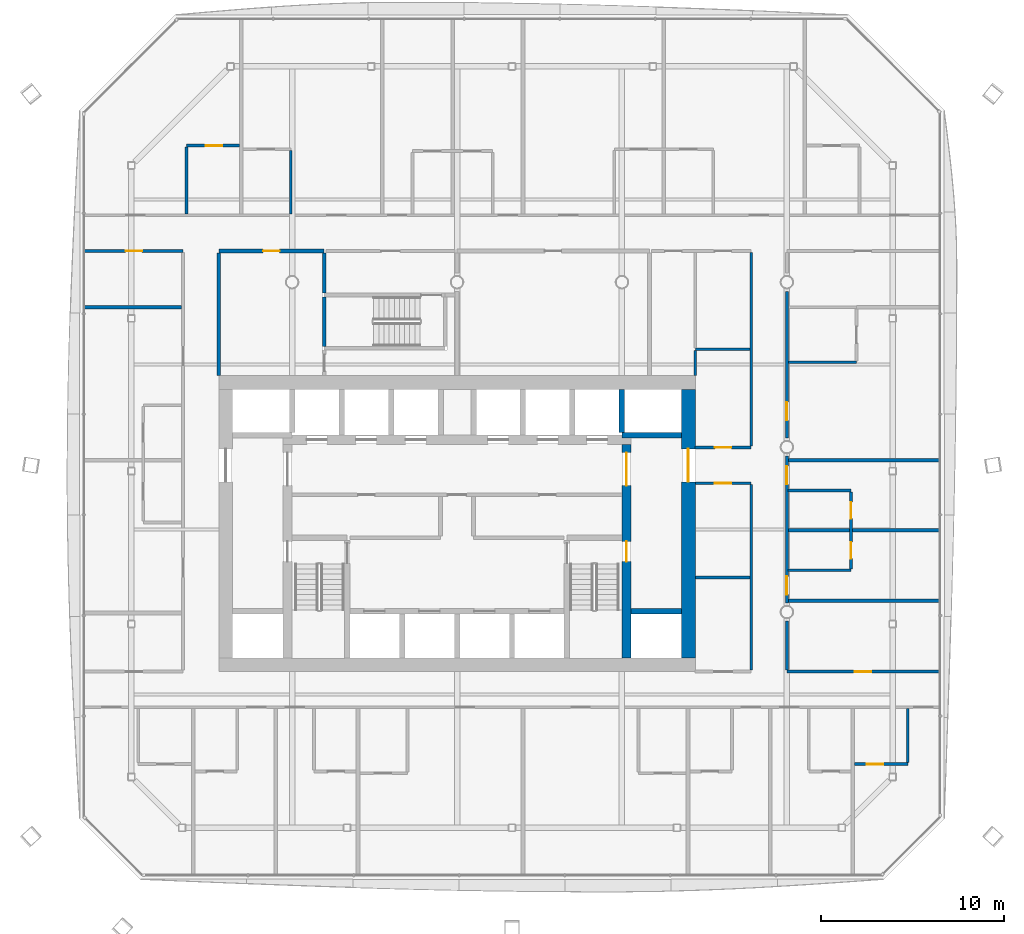
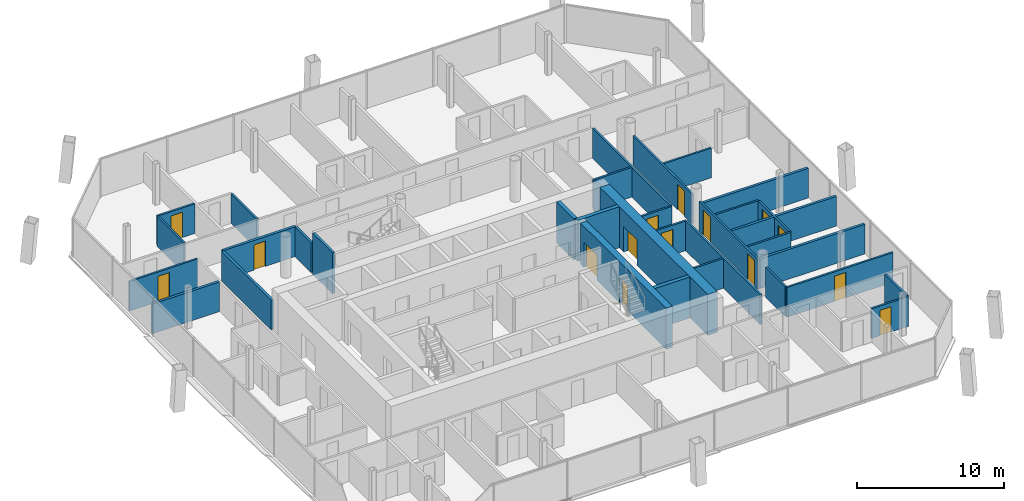
# One storey, part 15 of 22: 34 walls, 15 doors, 15 openings.
"""IFC4 building model written with IfcOpenShell, lengths in metres."""

from ifc_helpers import new_model, si_unit, direction, frame, frame_2d, origin, place, context, subcontext, project, spatial, rectangle, extrude, material, layer, layer_set, type_object, element, fill, save


model = new_model("IFC4")

# Units and contexts
model_context = context("Model", 3, precision=1e-05, world=origin(), true_north=direction((0.0, 1.0)))
body_context = subcontext(model_context, "Body", "Model", "MODEL_VIEW")
ifc_project = project(units=[si_unit("LENGTHUNIT", "METRE"), si_unit("AREAUNIT", "SQUARE_METRE"), si_unit("VOLUMEUNIT", "CUBIC_METRE"), si_unit("PLANEANGLEUNIT", "RADIAN"), si_unit("MASSUNIT", "GRAM", prefix="KILO")], contexts=[model_context])

# Site, building, storey
site_placement = place(None, origin())
site = spatial("IfcSite", under=ifc_project, at=site_placement, CompositionType="ELEMENT")
building_placement = place(site_placement, origin())
building = spatial("IfcBuilding", under=site, at=building_placement, Name="Tskaro Facet Tower", CompositionType="ELEMENT")
storey_placement = place(building_placement, frame((0.0, 0.0, 124.89990234375)))
storey = spatial("IfcBuildingStorey", under=building, at=storey_placement, Name="L29", CompositionType="ELEMENT", Elevation=124.89990234375)

# Walls
ifc_material_1 = material(Name="Concrete C60/75", Category="concrete")
ifc_layer_1 = layer(ifc_material_1, 0.300048828125, Name="Concrete C60/75")
ifc_layer_set_1 = layer_set([ifc_layer_1], Name="Concrete C60/75")
wall_type_1 = type_object("IfcWallType", Name="CORE-SHAFT", PredefinedType="SHEAR", material=ifc_layer_set_1)
wall_1_placement = place(storey_placement, frame((9.5, -8.949951171875, 0.0), z_axis=(0.0, 0.0, 1.0), x_axis=(1.0, 0.0, 0.0)))
element("IfcWall", 1, at=wall_1_placement, inside=storey, type_object=wall_type_1, Name="Shaft wall W016", PredefinedType="SHEAR", context=body_context, shape_type="SweptSolid", body=[
    extrude(rectangle(XDim=2.75, YDim=0.300048828125, at=frame_2d((1.375, 0.0))), origin(), (0.0, 0.0, 1.0), 3.400146484375),
])
wall_2_placement = place(storey_placement, frame((12.25, 0.64990234375, 0.0), z_axis=(0.0, 0.0, 1.0), x_axis=(-1.0, 0.0, 0.0)))
element("IfcWall", 2, at=wall_2_placement, inside=storey, type_object=wall_type_1, Name="Shaft wall W033", PredefinedType="SHEAR", context=body_context, shape_type="SweptSolid", body=[
    extrude(rectangle(XDim=3.25, YDim=0.300048828125, at=frame_2d((1.625, 0.0))), origin(), (0.0, 0.0, 1.0), 3.400146484375),
])
wall_3_placement = place(storey_placement, frame((9.0, 0.800048828125, 0.0), z_axis=(0.0, 0.0, 1.0), x_axis=(0.0, 1.0, 0.0)))
element("IfcWall", 3, at=wall_3_placement, inside=storey, type_object=wall_type_1, Name="Shaft wall W095", PredefinedType="SHEAR", context=body_context, shape_type="SweptSolid", body=[
    extrude(rectangle(XDim=2.349853515625, YDim=0.300048828125, at=frame_2d((1.1748046875, 0.0))), origin(), (0.0, 0.0, 1.0), 3.400146484375),
])

# Wall, openings, doors
ifc_material_2 = material(Name="Concrete C40/50", Category="concrete")
ifc_layer_2 = layer(ifc_material_2, 0.5, Name="Concrete C40/50")
ifc_layer_set_2 = layer_set([ifc_layer_2], Name="Concrete C40/50")
wall_type_2 = type_object("IfcWallType", Name="Core wall 500", PredefinedType="SHEAR", material=ifc_layer_set_2)
wall_4_placement = place(storey_placement, frame((9.25, -11.5, 0.0), z_axis=(0.0, 0.0, 1.0), x_axis=(0.0, 1.0, 0.0)))
wall_4 = element("IfcWall", 4, at=wall_4_placement, inside=storey, type_object=wall_type_2, Name="Core wall CW-Z3E", PredefinedType="SHEAR", context=body_context, shape_type="SweptSolid", body=[
    extrude(rectangle(XDim=11.64990234375, YDim=0.5, at=frame_2d((5.824951171875, 0.0))), origin(), (0.0, 0.0, 1.0), 3.400146484375),
])
opening_1_placement = place(wall_4_placement, frame((9.39990234375, 0.0, 0.0)))
opening_1 = element("IfcOpeningElement", 5, at=opening_1_placement, cuts=wall_4, Name="Opening T8-D32", PredefinedType="OPENING", context=body_context, shape_type="SweptSolid", body=[
    extrude(rectangle(XDim=1.800048828125, YDim=2.10009765625, at=frame_2d((0.89990234375, 1.050048828125))), frame((0.0, 0.260009765625, 0.0), z_axis=(0.0, -1.0, 0.0), x_axis=(1.0, 0.0, 0.0)), (0.0, 0.0, 1.0), 0.52001953125),
])
opening_2_placement = place(wall_4_placement, frame((5.25, 0.0, 0.0)))
opening_2 = element("IfcOpeningElement", 6, at=opening_2_placement, cuts=wall_4, Name="Opening ST-2-D2", PredefinedType="OPENING", context=body_context, shape_type="SweptSolid", body=[
    extrude(rectangle(XDim=1.10009765625, YDim=2.10009765625, at=frame_2d((0.550048828125, 1.050048828125))), frame((0.0, 0.260009765625, 0.0), z_axis=(0.0, -1.0, 0.0), x_axis=(1.0, 0.0, 0.0)), (0.0, 0.0, 1.0), 0.52001953125),
])
ifc_material_3 = material(Name="Steel", Category="steel")
door_type_1 = type_object("IfcDoorType", Name="D-CORE-PAIR", OperationType="NOTDEFINED", PredefinedType="DOOR", material=ifc_material_3)
door_1_placement = place(opening_1_placement, origin())
door_1 = element("IfcDoor", 7, at=door_1_placement, inside=storey, type_object=door_type_1, Name="Door T8-D32", OperationType="DOUBLE_DOOR_SINGLE_SWING", OverallHeight=2.10009765625, OverallWidth=1.800048828125, PredefinedType="DOOR", context=body_context, shape_type="SweptSolid", body=[
    extrude(rectangle(XDim=1.800048828125, YDim=2.10009765625, at=frame_2d((0.89990234375, 1.050048828125))), frame((0.0, 0.02490234375, 0.0), z_axis=(0.0, -1.0, 0.0), x_axis=(1.0, 0.0, 0.0)), (0.0, 0.0, 1.0), 0.050048828125),
])
fill(opening_1, door_1)
door_type_2 = type_object("IfcDoorType", Name="D-STAIR", OperationType="NOTDEFINED", PredefinedType="DOOR", material=ifc_material_3)
door_2_placement = place(opening_2_placement, origin())
door_2 = element("IfcDoor", 8, at=door_2_placement, inside=storey, type_object=door_type_2, Name="Stair door 2 east", OperationType="SINGLE_SWING_LEFT", OverallHeight=2.10009765625, OverallWidth=1.10009765625, PredefinedType="DOOR", context=body_context, shape_type="SweptSolid", body=[
    extrude(rectangle(XDim=1.10009765625, YDim=2.10009765625, at=frame_2d((0.550048828125, 1.050048828125))), frame((0.0, 0.02490234375, 0.0), z_axis=(0.0, -1.0, 0.0), x_axis=(1.0, 0.0, 0.0)), (0.0, 0.0, 1.0), 0.050048828125),
])
fill(opening_2, door_2)

# Wall, opening, door
ifc_material_4 = material(Name="Concrete C50/60", Category="concrete")
ifc_layer_3 = layer(ifc_material_4, 0.75, Name="Concrete C50/60")
ifc_layer_set_3 = layer_set([ifc_layer_3], Name="Concrete C50/60")
wall_type_3 = type_object("IfcWallType", Name="Core wall 750", PredefinedType="SHEAR", material=ifc_layer_set_3)
wall_5_placement = place(storey_placement, frame((12.625, -11.5, 0.0), z_axis=(0.0, 0.0, 1.0), x_axis=(0.0, 1.0, 0.0)))
wall_5 = element("IfcWall", 9, at=wall_5_placement, inside=storey, type_object=wall_type_3, Name="Core wall CW-Z2E", PredefinedType="SHEAR", context=body_context, shape_type="SweptSolid", body=[
    extrude(rectangle(XDim=14.64990234375, YDim=0.75, at=frame_2d((7.324951171875, 0.0))), origin(), (0.0, 0.0, 1.0), 3.400146484375),
])
opening_3_placement = place(wall_5_placement, frame((9.60009765625, 0.0, 0.0)))
opening_3 = element("IfcOpeningElement", 10, at=opening_3_placement, cuts=wall_5, Name="Opening T8-D34", PredefinedType="OPENING", context=body_context, shape_type="SweptSolid", body=[
    extrude(rectangle(XDim=1.800048828125, YDim=2.10009765625, at=frame_2d((0.89990234375, 1.050048828125))), frame((0.0, 0.385009765625, 0.0), z_axis=(0.0, -1.0, 0.0), x_axis=(1.0, 0.0, 0.0)), (0.0, 0.0, 1.0), 0.77001953125),
])
door_3_placement = place(opening_3_placement, origin())
door_3 = element("IfcDoor", 11, at=door_3_placement, inside=storey, type_object=door_type_1, Name="Door T8-D34", OperationType="DOUBLE_DOOR_SINGLE_SWING", OverallHeight=2.10009765625, OverallWidth=1.800048828125, PredefinedType="DOOR", context=body_context, shape_type="SweptSolid", body=[
    extrude(rectangle(XDim=1.800048828125, YDim=2.10009765625, at=frame_2d((0.89990234375, 1.050048828125))), frame((0.0, 0.02490234375, 0.0), z_axis=(0.0, -1.0, 0.0), x_axis=(1.0, 0.0, 0.0)), (0.0, 0.0, 1.0), 0.050048828125),
])
fill(opening_3, door_3)

ifc_material_5 = material(Name="Gypsum board on steel studs", Category="steel")
ifc_layer_4 = layer(ifc_material_5, 0.14990234375, Name="Gypsum board on steel studs")
ifc_layer_set_4 = layer_set([ifc_layer_4], Name="Gypsum board on steel studs")
wall_type_4 = type_object("IfcWallType", Name="PART-CORR", PredefinedType="PARTITIONING", material=ifc_layer_set_4)
wall_6_placement = place(storey_placement, frame((21.698974609375, -17.300048828125, 0.0), z_axis=(0.0, 0.0, 1.0), x_axis=(1.0, 0.0, 0.0)))
wall_6 = element("IfcWall", 12, at=wall_6_placement, inside=storey, type_object=wall_type_4, Name="Corridor wall W008", PredefinedType="PARTITIONING", context=body_context, shape_type="SweptSolid", body=[
    extrude(rectangle(XDim=2.900146484375, YDim=0.14990234375, at=frame_2d((1.4501953125, 0.0))), origin(), (0.0, 0.0, 1.0), 2.460205078125),
])
opening_4_placement = place(wall_6_placement, frame((0.64990234375, 0.0, 0.0)))
opening_4 = element("IfcOpeningElement", 13, at=opening_4_placement, cuts=wall_6, Name="Opening T8-D08", PredefinedType="OPENING", context=body_context, shape_type="SweptSolid", body=[
    extrude(rectangle(XDim=0.89990234375, YDim=2.10009765625, at=frame_2d((0.449951171875, 1.050048828125))), frame((0.0, 0.0849609375, 0.0), z_axis=(0.0, -1.0, 0.0), x_axis=(1.0, 0.0, 0.0)), (0.0, 0.0, 1.0), 0.169921875),
])
ifc_material_6 = material(Name="Timber", Category="wood")
door_type_3 = type_object("IfcDoorType", Name="D-ROOM", OperationType="NOTDEFINED", PredefinedType="DOOR", material=ifc_material_6)
door_4_placement = place(opening_4_placement, origin())
door_4 = element("IfcDoor", 14, at=door_4_placement, inside=storey, type_object=door_type_3, Name="Door T8-D08", OperationType="SINGLE_SWING_LEFT", OverallHeight=2.10009765625, OverallWidth=0.89990234375, PredefinedType="DOOR", context=body_context, shape_type="SweptSolid", body=[
    extrude(rectangle(XDim=0.89990234375, YDim=2.10009765625, at=frame_2d((0.449951171875, 1.050048828125))), frame((0.0, 0.02490234375, 0.0), z_axis=(0.0, -1.0, 0.0), x_axis=(1.0, 0.0, 0.0)), (0.0, 0.0, 1.0), 0.050048828125),
])
fill(opening_4, door_4)

wall_7_placement = place(storey_placement, frame((18.0, -12.25, 0.0), z_axis=(0.0, 0.0, 1.0), x_axis=(1.0, 0.0, 0.0)))
wall_7 = element("IfcWall", 15, at=wall_7_placement, inside=storey, type_object=wall_type_4, Name="Corridor wall W012", PredefinedType="PARTITIONING", context=body_context, shape_type="SweptSolid", body=[
    extrude(rectangle(XDim=8.31689453125, YDim=0.14990234375, at=frame_2d((4.158447265625, 0.0))), origin(), (0.0, 0.0, 1.0), 2.460205078125),
])
opening_5_placement = place(wall_7_placement, frame((3.70849609375, 0.0, 0.0)))
opening_5 = element("IfcOpeningElement", 16, at=opening_5_placement, cuts=wall_7, Name="Opening T8-D19", PredefinedType="OPENING", context=body_context, shape_type="SweptSolid", body=[
    extrude(rectangle(XDim=0.89990234375, YDim=2.10009765625, at=frame_2d((0.449951171875, 1.050048828125))), frame((0.0, 0.0849609375, 0.0), z_axis=(0.0, -1.0, 0.0), x_axis=(1.0, 0.0, 0.0)), (0.0, 0.0, 1.0), 0.169921875),
])
door_5_placement = place(opening_5_placement, origin())
door_5 = element("IfcDoor", 17, at=door_5_placement, inside=storey, type_object=door_type_3, Name="Door T8-D19", OperationType="SINGLE_SWING_LEFT", OverallHeight=2.10009765625, OverallWidth=0.89990234375, PredefinedType="DOOR", context=body_context, shape_type="SweptSolid", body=[
    extrude(rectangle(XDim=0.89990234375, YDim=2.10009765625, at=frame_2d((0.449951171875, 1.050048828125))), frame((0.0, 0.02490234375, 0.0), z_axis=(0.0, -1.0, 0.0), x_axis=(1.0, 0.0, 0.0)), (0.0, 0.0, 1.0), 0.050048828125),
])
fill(opening_5, door_5)

# Walls
wall_8_placement = place(storey_placement, frame((13.0, -7.112060546875, 0.0), z_axis=(0.0, 0.0, 1.0), x_axis=(1.0, 0.0, 0.0)))
element("IfcWall", 18, at=wall_8_placement, inside=storey, type_object=wall_type_4, Name="Corridor wall W018", PredefinedType="PARTITIONING", context=body_context, shape_type="SweptSolid", body=[
    extrude(rectangle(XDim=2.97509765625, YDim=0.14990234375, at=frame_2d((1.487548828125, 0.0))), origin(), (0.0, 0.0, 1.0), 2.460205078125),
])
for number, where, z_axis, x_axis, name in (
    (19, (18.074951171875, -6.72802734375, 0.0), (0.0, 0.0, 1.0), (1.0, 0.0, 0.0), "Corridor wall W019"),
    (20, (18.074951171875, -2.367919921875, 0.0), (0.0, 0.0, 1.0), (1.0, 0.0, 0.0), "Corridor wall W027"),
):
    element("IfcWall", number, at=place(storey_placement, frame(where, z_axis=z_axis, x_axis=x_axis)), inside=storey, type_object=wall_type_4, Name=name, PredefinedType="PARTITIONING", context=body_context, shape_type="SweptSolid", body=[
        extrude(rectangle(XDim=3.425048828125, YDim=0.14990234375, at=frame_2d((1.71240234375, 0.0))), origin(), (0.0, 0.0, 1.0), 2.460205078125),
    ])

# Wall, opening, door
wall_9_placement = place(storey_placement, frame((16.050048828125, -1.97509765625, 0.0), z_axis=(0.0, 0.0, 1.0), x_axis=(-1.0, 0.0, 0.0)))
wall_9 = element("IfcWall", 21, at=wall_9_placement, inside=storey, type_object=wall_type_4, Name="Corridor wall W028", PredefinedType="PARTITIONING", context=body_context, shape_type="SweptSolid", body=[
    extrude(rectangle(XDim=3.050048828125, YDim=0.14990234375, at=frame_2d((1.52490234375, 0.0))), origin(), (0.0, 0.0, 1.0), 2.460205078125),
])
opening_6_placement = place(wall_9_placement, frame((1.074951171875, 0.0, 0.0)))
opening_6 = element("IfcOpeningElement", 22, at=opening_6_placement, cuts=wall_9, Name="Opening T8-D29", PredefinedType="OPENING", context=body_context, shape_type="SweptSolid", body=[
    extrude(rectangle(XDim=0.89990234375, YDim=2.10009765625, at=frame_2d((0.449951171875, 1.050048828125))), frame((0.0, 0.0849609375, 0.0), z_axis=(0.0, -1.0, 0.0), x_axis=(1.0, 0.0, 0.0)), (0.0, 0.0, 1.0), 0.169921875),
])
door_6_placement = place(opening_6_placement, origin())
door_6 = element("IfcDoor", 23, at=door_6_placement, inside=storey, type_object=door_type_3, Name="Door T8-D29", OperationType="SINGLE_SWING_RIGHT", OverallHeight=2.10009765625, OverallWidth=0.89990234375, PredefinedType="DOOR", context=body_context, shape_type="SweptSolid", body=[
    extrude(rectangle(XDim=0.89990234375, YDim=2.10009765625, at=frame_2d((0.449951171875, 1.050048828125))), frame((0.0, 0.02490234375, 0.0), z_axis=(0.0, -1.0, 0.0), x_axis=(1.0, 0.0, 0.0)), (0.0, 0.0, 1.0), 0.050048828125),
])
fill(opening_6, door_6)

wall_10_placement = place(storey_placement, frame((13.0, -0.02490234375, 0.0), z_axis=(0.0, 0.0, 1.0), x_axis=(1.0, 0.0, 0.0)))
wall_10 = element("IfcWall", 24, at=wall_10_placement, inside=storey, type_object=wall_type_4, Name="Corridor wall W031", PredefinedType="PARTITIONING", context=body_context, shape_type="SweptSolid", body=[
    extrude(rectangle(XDim=3.050048828125, YDim=0.14990234375, at=frame_2d((1.52490234375, 0.0))), origin(), (0.0, 0.0, 1.0), 2.460205078125),
])
opening_7_placement = place(wall_10_placement, frame((1.074951171875, 0.0, 0.0)))
opening_7 = element("IfcOpeningElement", 25, at=opening_7_placement, cuts=wall_10, Name="Opening T8-D35", PredefinedType="OPENING", context=body_context, shape_type="SweptSolid", body=[
    extrude(rectangle(XDim=0.89990234375, YDim=2.10009765625, at=frame_2d((0.449951171875, 1.050048828125))), frame((0.0, 0.0849609375, 0.0), z_axis=(0.0, -1.0, 0.0), x_axis=(1.0, 0.0, 0.0)), (0.0, 0.0, 1.0), 0.169921875),
])
door_7_placement = place(opening_7_placement, origin())
door_7 = element("IfcDoor", 26, at=door_7_placement, inside=storey, type_object=door_type_3, Name="Door T8-D35", OperationType="SINGLE_SWING_LEFT", OverallHeight=2.10009765625, OverallWidth=0.89990234375, PredefinedType="DOOR", context=body_context, shape_type="SweptSolid", body=[
    extrude(rectangle(XDim=0.89990234375, YDim=2.10009765625, at=frame_2d((0.449951171875, 1.050048828125))), frame((0.0, 0.02490234375, 0.0), z_axis=(0.0, -1.0, 0.0), x_axis=(1.0, 0.0, 0.0)), (0.0, 0.0, 1.0), 0.050048828125),
])
fill(opening_7, door_7)

# Walls
wall_11_placement = place(storey_placement, frame((18.074951171875, 4.6259765625, 0.0), z_axis=(0.0, 0.0, 1.0), x_axis=(1.0, 0.0, 0.0)))
element("IfcWall", 27, at=wall_11_placement, inside=storey, type_object=wall_type_4, Name="Corridor wall W035", PredefinedType="PARTITIONING", context=body_context, shape_type="SweptSolid", body=[
    extrude(rectangle(XDim=3.72509765625, YDim=0.14990234375, at=frame_2d((1.862548828125, 0.0))), origin(), (0.0, 0.0, 1.0), 2.460205078125),
])
wall_12_placement = place(storey_placement, frame((13.0, 5.3369140625, 0.0), z_axis=(0.0, 0.0, 1.0), x_axis=(1.0, 0.0, 0.0)))
element("IfcWall", 28, at=wall_12_placement, inside=storey, type_object=wall_type_4, Name="Corridor wall W036", PredefinedType="PARTITIONING", context=body_context, shape_type="SweptSolid", body=[
    extrude(rectangle(XDim=2.97509765625, YDim=0.14990234375, at=frame_2d((1.487548828125, 0.0))), origin(), (0.0, 0.0, 1.0), 2.460205078125),
])

# Wall, opening, door
wall_13_placement = place(storey_placement, frame((-14.949951171875, 10.699951171875, 0.0), z_axis=(0.0, 0.0, 1.0), x_axis=(-1.0, 0.0, 0.0)))
wall_13 = element("IfcWall", 29, at=wall_13_placement, inside=storey, type_object=wall_type_4, Name="Corridor wall W043", PredefinedType="PARTITIONING", context=body_context, shape_type="SweptSolid", body=[
    extrude(rectangle(XDim=5.366943359375, YDim=0.14990234375, at=frame_2d((2.68359375, 0.0))), origin(), (0.0, 0.0, 1.0), 2.460205078125),
])
opening_8_placement = place(wall_13_placement, frame((2.2333984375, 0.0, 0.0)))
opening_8 = element("IfcOpeningElement", 30, at=opening_8_placement, cuts=wall_13, Name="Opening T8-D43", PredefinedType="OPENING", context=body_context, shape_type="SweptSolid", body=[
    extrude(rectangle(XDim=0.89990234375, YDim=2.10009765625, at=frame_2d((0.449951171875, 1.050048828125))), frame((0.0, 0.0849609375, 0.0), z_axis=(0.0, -1.0, 0.0), x_axis=(1.0, 0.0, 0.0)), (0.0, 0.0, 1.0), 0.169921875),
])
door_8_placement = place(opening_8_placement, origin())
door_8 = element("IfcDoor", 31, at=door_8_placement, inside=storey, type_object=door_type_3, Name="Door T8-D43", OperationType="SINGLE_SWING_RIGHT", OverallHeight=2.10009765625, OverallWidth=0.89990234375, PredefinedType="DOOR", context=body_context, shape_type="SweptSolid", body=[
    extrude(rectangle(XDim=0.89990234375, YDim=2.10009765625, at=frame_2d((0.449951171875, 1.050048828125))), frame((0.0, 0.02490234375, 0.0), z_axis=(0.0, -1.0, 0.0), x_axis=(1.0, 0.0, 0.0)), (0.0, 0.0, 1.0), 0.050048828125),
])
fill(opening_8, door_8)

wall_14_placement = place(storey_placement, frame((-11.867919921875, 16.449951171875, 0.0), z_axis=(0.0, 0.0, 1.0), x_axis=(-1.0, 0.0, 0.0)))
wall_14 = element("IfcWall", 32, at=wall_14_placement, inside=storey, type_object=wall_type_4, Name="Corridor wall W053", PredefinedType="PARTITIONING", context=body_context, shape_type="SweptSolid", body=[
    extrude(rectangle(XDim=2.900146484375, YDim=0.14990234375, at=frame_2d((1.4501953125, 0.0))), origin(), (0.0, 0.0, 1.0), 2.460205078125),
])
opening_9_placement = place(wall_14_placement, frame((0.949951171875, 0.0, 0.0)))
opening_9 = element("IfcOpeningElement", 33, at=opening_9_placement, cuts=wall_14, Name="Opening T8-D62", PredefinedType="OPENING", context=body_context, shape_type="SweptSolid", body=[
    extrude(rectangle(XDim=0.89990234375, YDim=2.10009765625, at=frame_2d((0.449951171875, 1.050048828125))), frame((0.0, 0.0849609375, 0.0), z_axis=(0.0, -1.0, 0.0), x_axis=(1.0, 0.0, 0.0)), (0.0, 0.0, 1.0), 0.169921875),
])
door_9_placement = place(opening_9_placement, origin())
door_9 = element("IfcDoor", 34, at=door_9_placement, inside=storey, type_object=door_type_3, Name="Door T8-D62", OperationType="SINGLE_SWING_RIGHT", OverallHeight=2.10009765625, OverallWidth=0.89990234375, PredefinedType="DOOR", context=body_context, shape_type="SweptSolid", body=[
    extrude(rectangle(XDim=0.89990234375, YDim=2.10009765625, at=frame_2d((0.449951171875, 1.050048828125))), frame((0.0, 0.02490234375, 0.0), z_axis=(0.0, -1.0, 0.0), x_axis=(1.0, 0.0, 0.0)), (0.0, 0.0, 1.0), 0.050048828125),
])
fill(opening_9, door_9)

# Walls
wall_15_placement = place(storey_placement, frame((-14.76806640625, 12.72509765625, 0.0), z_axis=(0.0, 0.0, 1.0), x_axis=(0.0, 1.0, 0.0)))
element("IfcWall", 35, at=wall_15_placement, inside=storey, type_object=wall_type_4, Name="Corridor wall W058", PredefinedType="PARTITIONING", context=body_context, shape_type="SweptSolid", body=[
    extrude(rectangle(XDim=3.64990234375, YDim=0.14990234375, at=frame_2d((1.824951171875, 0.0))), origin(), (0.0, 0.0, 1.0), 2.460205078125),
])
wall_16_placement = place(storey_placement, frame((-9.068115234375, 12.72509765625, 0.0), z_axis=(0.0, 0.0, 1.0), x_axis=(0.0, 1.0, 0.0)))
element("IfcWall", 36, at=wall_16_placement, inside=storey, type_object=wall_type_4, Name="Corridor wall W064", PredefinedType="PARTITIONING", context=body_context, shape_type="SweptSolid", body=[
    extrude(rectangle(XDim=3.449951171875, YDim=0.14990234375, at=frame_2d((1.72509765625, 0.0))), origin(), (0.0, 0.0, 1.0), 2.460205078125),
])
wall_17_placement = place(storey_placement, frame((13.0, 3.89990234375, 0.0), z_axis=(0.0, 0.0, 1.0), x_axis=(0.0, 1.0, 0.0)))
element("IfcWall", 37, at=wall_17_placement, inside=storey, type_object=wall_type_4, Name="Corridor wall W100", PredefinedType="PARTITIONING", context=body_context, shape_type="SweptSolid", body=[
    extrude(rectangle(XDim=1.362060546875, YDim=0.14990234375, at=frame_2d((0.68115234375, 0.0))), origin(), (0.0, 0.0, 1.0), 2.460205078125),
])
wall_18_placement = place(storey_placement, frame((16.050048828125, -12.175048828125, 0.0), z_axis=(0.0, 0.0, 1.0), x_axis=(0.0, 1.0, 0.0)))
element("IfcWall", 38, at=wall_18_placement, inside=storey, type_object=wall_type_4, Name="Corridor wall W104", PredefinedType="PARTITIONING", context=body_context, shape_type="SweptSolid", body=[
    extrude(rectangle(XDim=10.125, YDim=0.14990234375, at=frame_2d((5.0625, 0.0))), origin(), (0.0, 0.0, 1.0), 2.460205078125),
])
wall_19_placement = place(storey_placement, frame((16.050048828125, 0.050048828125, 0.0), z_axis=(0.0, 0.0, 1.0), x_axis=(0.0, 1.0, 0.0)))
element("IfcWall", 39, at=wall_19_placement, inside=storey, type_object=wall_type_4, Name="Corridor wall W105", PredefinedType="PARTITIONING", context=body_context, shape_type="SweptSolid", body=[
    extrude(rectangle(XDim=10.574951171875, YDim=0.14990234375, at=frame_2d((5.28759765625, 0.0))), origin(), (0.0, 0.0, 1.0), 2.460205078125),
])
wall_20_placement = place(storey_placement, frame((18.0, -12.175048828125, 0.0), z_axis=(0.0, 0.0, 1.0), x_axis=(0.0, 1.0, 0.0)))
element("IfcWall", 40, at=wall_20_placement, inside=storey, type_object=wall_type_4, Name="Corridor wall W107", PredefinedType="PARTITIONING", context=body_context, shape_type="SweptSolid", body=[
    extrude(rectangle(XDim=2.675048828125, YDim=0.14990234375, at=frame_2d((1.33740234375, 0.0))), origin(), (0.0, 0.0, 1.0), 2.460205078125),
])

# Wall, openings, doors
wall_21_placement = place(storey_placement, frame((18.0, -0.5, 0.0), z_axis=(0.0, 0.0, 1.0), x_axis=(0.0, -1.0, 0.0)))
wall_21 = element("IfcWall", 41, at=wall_21_placement, inside=storey, type_object=wall_type_4, Name="Corridor wall W108", PredefinedType="PARTITIONING", context=body_context, shape_type="SweptSolid", body=[
    extrude(rectangle(XDim=8.0, YDim=0.14990234375, at=frame_2d((4.0, 0.0))), origin(), (0.0, 0.0, 1.0), 2.460205078125),
])
opening_10_placement = place(wall_21_placement, frame((6.553955078125, 0.0, 0.0)))
opening_10 = element("IfcOpeningElement", 42, at=opening_10_placement, cuts=wall_21, Name="Opening T8-D22", PredefinedType="OPENING", context=body_context, shape_type="SweptSolid", body=[
    extrude(rectangle(XDim=1.0, YDim=2.10009765625, at=frame_2d((0.5, 1.050048828125))), frame((0.0, 0.0849609375, 0.0), z_axis=(0.0, -1.0, 0.0), x_axis=(1.0, 0.0, 0.0)), (0.0, 0.0, 1.0), 0.169921875),
])
opening_11_placement = place(wall_21_placement, frame((0.5419921875, 0.0, 0.0)))
opening_11 = element("IfcOpeningElement", 43, at=opening_11_placement, cuts=wall_21, Name="Opening T8-D30", PredefinedType="OPENING", context=body_context, shape_type="SweptSolid", body=[
    extrude(rectangle(XDim=1.0, YDim=2.10009765625, at=frame_2d((0.5, 1.050048828125))), frame((0.0, 0.0849609375, 0.0), z_axis=(0.0, -1.0, 0.0), x_axis=(1.0, 0.0, 0.0)), (0.0, 0.0, 1.0), 0.169921875),
])
door_type_4 = type_object("IfcDoorType", Name="D-ENTRY", OperationType="NOTDEFINED", PredefinedType="DOOR", material=ifc_material_6)
door_10_placement = place(opening_10_placement, origin())
door_10 = element("IfcDoor", 44, at=door_10_placement, inside=storey, type_object=door_type_4, Name="Door T8-D22", OperationType="SINGLE_SWING_LEFT", OverallHeight=2.10009765625, OverallWidth=1.0, PredefinedType="DOOR", context=body_context, shape_type="SweptSolid", body=[
    extrude(rectangle(XDim=1.0, YDim=2.10009765625, at=frame_2d((0.5, 1.050048828125))), frame((0.0, 0.02490234375, 0.0), z_axis=(0.0, -1.0, 0.0), x_axis=(1.0, 0.0, 0.0)), (0.0, 0.0, 1.0), 0.050048828125),
])
fill(opening_10, door_10)
door_11_placement = place(opening_11_placement, origin())
door_11 = element("IfcDoor", 45, at=door_11_placement, inside=storey, type_object=door_type_4, Name="Door T8-D30", OperationType="SINGLE_SWING_RIGHT", OverallHeight=2.10009765625, OverallWidth=1.0, PredefinedType="DOOR", context=body_context, shape_type="SweptSolid", body=[
    extrude(rectangle(XDim=1.0, YDim=2.10009765625, at=frame_2d((0.5, 1.050048828125))), frame((0.0, 0.02490234375, 0.0), z_axis=(0.0, -1.0, 0.0), x_axis=(1.0, 0.0, 0.0)), (0.0, 0.0, 1.0), 0.050048828125),
])
fill(opening_11, door_11)

# Wall, opening, door
wall_22_placement = place(storey_placement, frame((18.0, 8.5, 0.0), z_axis=(0.0, 0.0, 1.0), x_axis=(0.0, -1.0, 0.0)))
wall_22 = element("IfcWall", 46, at=wall_22_placement, inside=storey, type_object=wall_type_4, Name="Corridor wall W109", PredefinedType="PARTITIONING", context=body_context, shape_type="SweptSolid", body=[
    extrude(rectangle(XDim=8.0, YDim=0.14990234375, at=frame_2d((4.0, 0.0))), origin(), (0.0, 0.0, 1.0), 2.460205078125),
])
opening_12_placement = place(wall_22_placement, frame((6.044921875, 0.0, 0.0)))
opening_12 = element("IfcOpeningElement", 47, at=opening_12_placement, cuts=wall_22, Name="Opening T8-D39", PredefinedType="OPENING", context=body_context, shape_type="SweptSolid", body=[
    extrude(rectangle(XDim=1.0, YDim=2.10009765625, at=frame_2d((0.5, 1.050048828125))), frame((0.0, 0.0849609375, 0.0), z_axis=(0.0, -1.0, 0.0), x_axis=(1.0, 0.0, 0.0)), (0.0, 0.0, 1.0), 0.169921875),
])
door_12_placement = place(opening_12_placement, origin())
door_12 = element("IfcDoor", 48, at=door_12_placement, inside=storey, type_object=door_type_4, Name="Door T8-D39", OperationType="SINGLE_SWING_RIGHT", OverallHeight=2.10009765625, OverallWidth=1.0, PredefinedType="DOOR", context=body_context, shape_type="SweptSolid", body=[
    extrude(rectangle(XDim=1.0, YDim=2.10009765625, at=frame_2d((0.5, 1.050048828125))), frame((0.0, 0.02490234375, 0.0), z_axis=(0.0, -1.0, 0.0), x_axis=(1.0, 0.0, 0.0)), (0.0, 0.0, 1.0), 0.050048828125),
])
fill(opening_12, door_12)

# Wall, openings, doors
wall_23_placement = place(storey_placement, frame((21.5, -6.653076171875, 0.0), z_axis=(0.0, 0.0, 1.0), x_axis=(0.0, 1.0, 0.0)))
wall_23 = element("IfcWall", 49, at=wall_23_placement, inside=storey, type_object=wall_type_4, Name="Corridor wall W113", PredefinedType="PARTITIONING", context=body_context, shape_type="SweptSolid", body=[
    extrude(rectangle(XDim=4.2099609375, YDim=0.14990234375, at=frame_2d((2.10498046875, 0.0))), origin(), (0.0, 0.0, 1.0), 2.460205078125),
])
opening_13_placement = place(wall_23_placement, frame((0.56494140625, 0.0, 0.0)))
opening_13 = element("IfcOpeningElement", 50, at=opening_13_placement, cuts=wall_23, Name="Opening T8-D24", PredefinedType="OPENING", context=body_context, shape_type="SweptSolid", body=[
    extrude(rectangle(XDim=0.89990234375, YDim=2.10009765625, at=frame_2d((0.449951171875, 1.050048828125))), frame((0.0, 0.0849609375, 0.0), z_axis=(0.0, -1.0, 0.0), x_axis=(1.0, 0.0, 0.0)), (0.0, 0.0, 1.0), 0.169921875),
])
opening_14_placement = place(wall_23_placement, frame((2.7451171875, 0.0, 0.0)))
opening_14 = element("IfcOpeningElement", 51, at=opening_14_placement, cuts=wall_23, Name="Opening T8-D25", PredefinedType="OPENING", context=body_context, shape_type="SweptSolid", body=[
    extrude(rectangle(XDim=0.89990234375, YDim=2.10009765625, at=frame_2d((0.449951171875, 1.050048828125))), frame((0.0, 0.0849609375, 0.0), z_axis=(0.0, -1.0, 0.0), x_axis=(1.0, 0.0, 0.0)), (0.0, 0.0, 1.0), 0.169921875),
])
door_13_placement = place(opening_13_placement, origin())
door_13 = element("IfcDoor", 52, at=door_13_placement, inside=storey, type_object=door_type_3, Name="Door T8-D24", OperationType="SINGLE_SWING_LEFT", OverallHeight=2.10009765625, OverallWidth=0.89990234375, PredefinedType="DOOR", context=body_context, shape_type="SweptSolid", body=[
    extrude(rectangle(XDim=0.89990234375, YDim=2.10009765625, at=frame_2d((0.449951171875, 1.050048828125))), frame((0.0, 0.02490234375, 0.0), z_axis=(0.0, -1.0, 0.0), x_axis=(1.0, 0.0, 0.0)), (0.0, 0.0, 1.0), 0.050048828125),
])
fill(opening_13, door_13)
door_14_placement = place(opening_14_placement, origin())
door_14 = element("IfcDoor", 53, at=door_14_placement, inside=storey, type_object=door_type_3, Name="Door T8-D25", OperationType="SINGLE_SWING_LEFT", OverallHeight=2.10009765625, OverallWidth=0.89990234375, PredefinedType="DOOR", context=body_context, shape_type="SweptSolid", body=[
    extrude(rectangle(XDim=0.89990234375, YDim=2.10009765625, at=frame_2d((0.449951171875, 1.050048828125))), frame((0.0, 0.02490234375, 0.0), z_axis=(0.0, -1.0, 0.0), x_axis=(1.0, 0.0, 0.0)), (0.0, 0.0, 1.0), 0.050048828125),
])
fill(opening_14, door_14)

# Walls
wall_24_placement = place(storey_placement, frame((24.59912109375, -17.22509765625, 0.0), z_axis=(0.0, 0.0, 1.0), x_axis=(0.0, 1.0, 0.0)))
element("IfcWall", 54, at=wall_24_placement, inside=storey, type_object=wall_type_4, Name="Corridor wall W117", PredefinedType="PARTITIONING", context=body_context, shape_type="SweptSolid", body=[
    extrude(rectangle(XDim=2.9501953125, YDim=0.14990234375, at=frame_2d((1.47509765625, 0.0))), origin(), (0.0, 0.0, 1.0), 2.460205078125),
])
ifc_layer_5 = layer(ifc_material_5, 0.199951171875, Name="Gypsum board on steel studs")
ifc_layer_set_5 = layer_set([ifc_layer_5], Name="Gypsum board on steel studs")
wall_type_5 = type_object("IfcWallType", Name="PART-DEMISING", PredefinedType="PARTITIONING", material=ifc_layer_set_5)
for number, where, z_axis, x_axis, name in (
    (55, (18.074951171875, -8.3798828125, 0.0), (0.0, 0.0, 1.0), (1.0, 0.0, 0.0), "Guest room wall W017"),
    (56, (18.074951171875, -4.548095703125, 0.0), (0.0, 0.0, 1.0), (1.0, 0.0, 0.0), "Guest room wall W024"),
    (57, (18.074951171875, -0.716064453125, 0.0), (0.0, 0.0, 1.0), (1.0, 0.0, 0.0), "Guest room wall W029"),
):
    element("IfcWall", number, at=place(storey_placement, frame(where, z_axis=z_axis, x_axis=x_axis)), inside=storey, type_object=wall_type_5, Name=name, PredefinedType="PARTITIONING", context=body_context, shape_type="SweptSolid", body=[
        extrude(rectangle(XDim=8.241943359375, YDim=0.199951171875, at=frame_2d((4.12109375, 0.0))), origin(), (0.0, 0.0, 1.0), 2.460205078125),
    ])
wall_25_placement = place(storey_placement, frame((-20.31689453125, 7.6259765625, 0.0), z_axis=(0.0, 0.0, 1.0), x_axis=(1.0, 0.0, 0.0)))
element("IfcWall", 58, at=wall_25_placement, inside=storey, type_object=wall_type_5, Name="Guest room wall W038", PredefinedType="PARTITIONING", context=body_context, shape_type="SweptSolid", body=[
    extrude(rectangle(XDim=5.2919921875, YDim=0.199951171875, at=frame_2d((2.64599609375, 0.0))), origin(), (0.0, 0.0, 1.0), 2.460205078125),
])
ifc_layer_6 = layer(ifc_material_1, 0.199951171875, Name="Concrete C60/75")
ifc_layer_set_6 = layer_set([ifc_layer_6], Name="Concrete C60/75")
wall_type_6 = type_object("IfcWallType", Name="STAIR-WALL", PredefinedType="SHEAR", material=ifc_layer_set_6)
wall_26_placement = place(storey_placement, frame((-7.25, 5.5, 0.0), z_axis=(0.0, 0.0, 1.0), x_axis=(0.0, 1.0, 0.0)))
element("IfcWall", 59, at=wall_26_placement, inside=storey, type_object=wall_type_6, Name="Stair wall W068", PredefinedType="SHEAR", context=body_context, shape_type="SweptSolid", body=[
    extrude(rectangle(XDim=2.699951171875, YDim=0.199951171875, at=frame_2d((1.35009765625, 0.0))), origin(), (0.0, 0.0, 1.0), 3.400146484375),
])

# Wall, opening, door
ifc_material_7 = material(Name="Concrete C20/25", Category="concrete")
ifc_layer_7 = layer(ifc_material_7, 0.199951171875, Name="Concrete C20/25")
ifc_layer_set_7 = layer_set([ifc_layer_7], Name="Concrete C20/25")
wall_type_7 = type_object("IfcWallType", Name="WALL-RISER", PredefinedType="SOLIDWALL", material=ifc_layer_set_7)
wall_27_placement = place(storey_placement, frame((-7.25, 10.699951171875, 0.0), z_axis=(0.0, 0.0, 1.0), x_axis=(-1.0, 0.0, 0.0)))
wall_27 = element("IfcWall", 60, at=wall_27_placement, inside=storey, type_object=wall_type_7, Name="Riser room wall W044", PredefinedType="SOLIDWALL", context=body_context, shape_type="SweptSolid", body=[
    extrude(rectangle(XDim=5.75, YDim=0.199951171875, at=frame_2d((2.875, 0.0))), origin(), (0.0, 0.0, 1.0), 2.460205078125),
])
opening_15_placement = place(wall_27_placement, frame((2.425048828125, 0.0, 0.0)))
opening_15 = element("IfcOpeningElement", 61, at=opening_15_placement, cuts=wall_27, Name="Opening T8-D44", PredefinedType="OPENING", context=body_context, shape_type="SweptSolid", body=[
    extrude(rectangle(XDim=0.89990234375, YDim=2.10009765625, at=frame_2d((0.449951171875, 1.050048828125))), frame((0.0, 0.10986328125, 0.0), z_axis=(0.0, -1.0, 0.0), x_axis=(1.0, 0.0, 0.0)), (0.0, 0.0, 1.0), 0.219970703125),
])
door_type_5 = type_object("IfcDoorType", Name="D-RISER", OperationType="NOTDEFINED", PredefinedType="DOOR", material=ifc_material_3)
door_15_placement = place(opening_15_placement, origin())
door_15 = element("IfcDoor", 62, at=door_15_placement, inside=storey, type_object=door_type_5, Name="Door T8-D44", OperationType="SINGLE_SWING_RIGHT", OverallHeight=2.10009765625, OverallWidth=0.89990234375, PredefinedType="DOOR", context=body_context, shape_type="SweptSolid", body=[
    extrude(rectangle(XDim=0.89990234375, YDim=2.10009765625, at=frame_2d((0.449951171875, 1.050048828125))), frame((0.0, 0.02490234375, 0.0), z_axis=(0.0, -1.0, 0.0), x_axis=(1.0, 0.0, 0.0)), (0.0, 0.0, 1.0), 0.050048828125),
])
fill(opening_15, door_15)

# Walls
wall_28_placement = place(storey_placement, frame((-13.0, 3.89990234375, 0.0), z_axis=(0.0, 0.0, 1.0), x_axis=(0.0, 1.0, 0.0)))
element("IfcWall", 63, at=wall_28_placement, inside=storey, type_object=wall_type_7, Name="Riser room wall W060", PredefinedType="SOLIDWALL", context=body_context, shape_type="SweptSolid", body=[
    extrude(rectangle(XDim=6.7001953125, YDim=0.199951171875, at=frame_2d((3.35009765625, 0.0))), origin(), (0.0, 0.0, 1.0), 2.460205078125),
])
wall_29_placement = place(storey_placement, frame((-7.25, 8.39990234375, 0.0), z_axis=(0.0, 0.0, 1.0), x_axis=(0.0, 1.0, 0.0)))
element("IfcWall", 64, at=wall_29_placement, inside=storey, type_object=wall_type_7, Name="Riser room wall W069", PredefinedType="SOLIDWALL", context=body_context, shape_type="SweptSolid", body=[
    extrude(rectangle(XDim=2.2001953125, YDim=0.199951171875, at=frame_2d((1.10009765625, 0.0))), origin(), (0.0, 0.0, 1.0), 2.460205078125),
])

save(model, "model.ifc")
